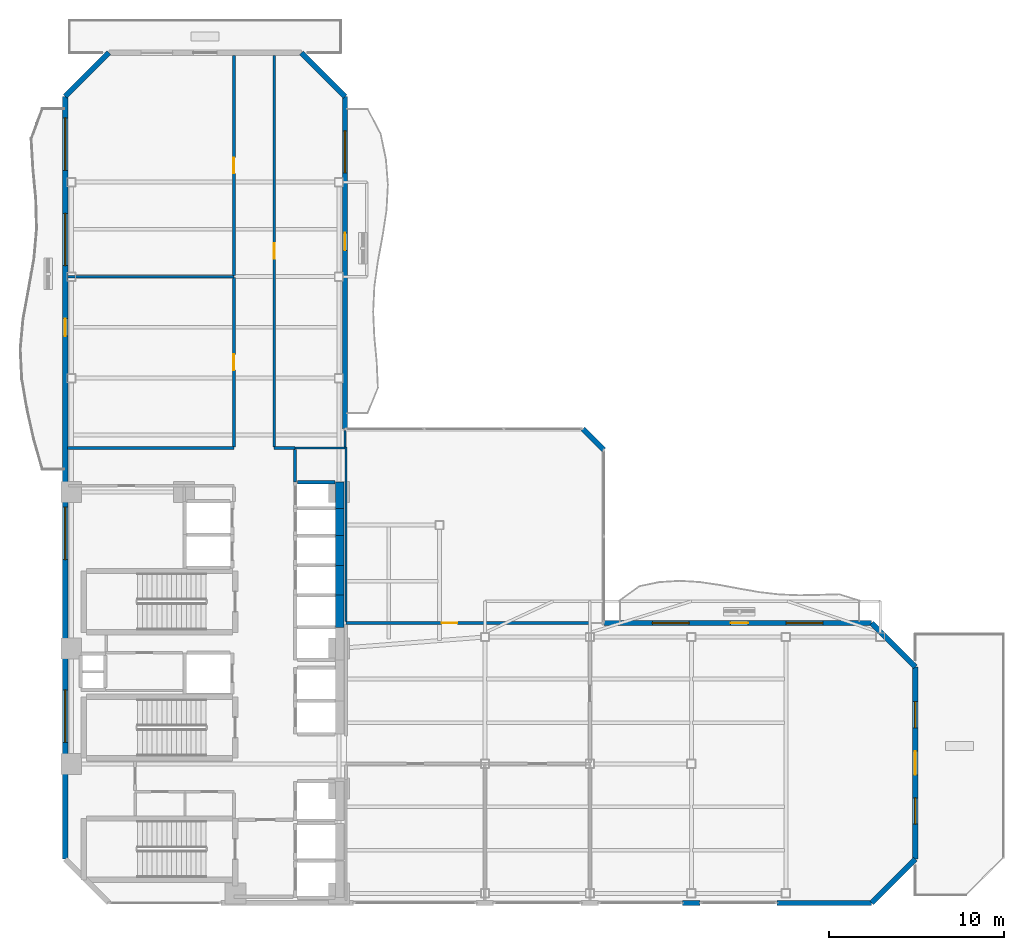
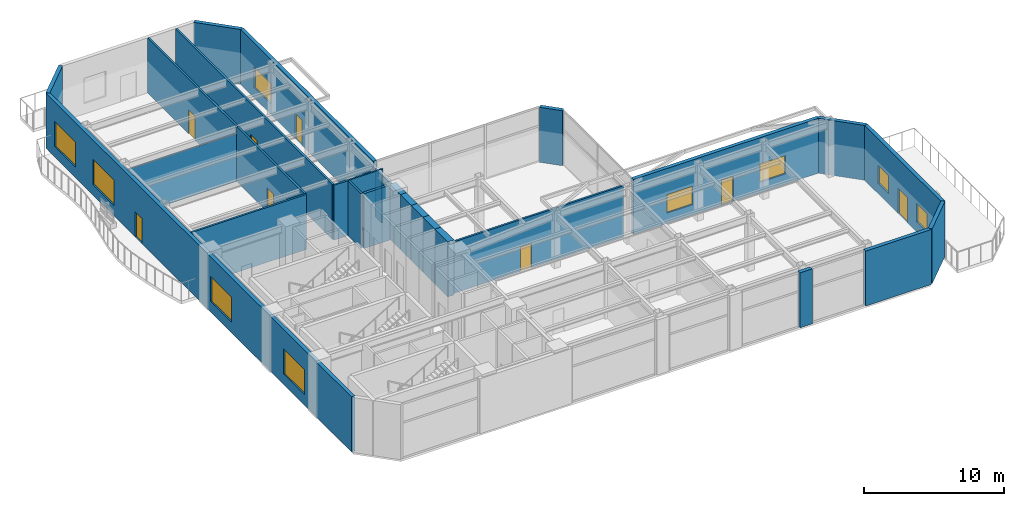
# One storey, part 18 of 23: 28 walls, 9 windows, 8 doors, 17 openings.
"""IFC4 building model written with IfcOpenShell, lengths in metres."""

from ifc_helpers import new_model, si_unit, direction, frame, frame_2d, origin, place, context, subcontext, project, spatial, rectangle, extrude, material, layer, layer_set, type_object, element, fill, save


model = new_model("IFC4")

# Units and contexts
model_context = context("Model", 3, precision=1e-05, world=origin(), true_north=direction((0.0, 1.0)))
body_context = subcontext(model_context, "Body", "Model", "MODEL_VIEW")
ifc_project = project(units=[si_unit("LENGTHUNIT", "METRE"), si_unit("AREAUNIT", "SQUARE_METRE"), si_unit("VOLUMEUNIT", "CUBIC_METRE"), si_unit("PLANEANGLEUNIT", "RADIAN"), si_unit("MASSUNIT", "GRAM", prefix="KILO")], contexts=[model_context])

# Site, building, storey
site_placement = place(None, origin())
site = spatial("IfcSite", under=ifc_project, at=site_placement, CompositionType="ELEMENT")
building_placement = place(site_placement, origin())
building = spatial("IfcBuilding", under=site, at=building_placement, Name="Mawjaban Terraces University", CompositionType="ELEMENT")
storey_placement = place(building_placement, frame((0.0, 0.0, 98.39990234375)))
storey = spatial("IfcBuildingStorey", under=building, at=storey_placement, Name="L23", CompositionType="ELEMENT", Elevation=98.39990234375)

# Walls
ifc_material_1 = material(Name="Concrete C60/75", Category="concrete")
ifc_layer_1 = layer(ifc_material_1, 0.5)
ifc_layer_set_1 = layer_set([ifc_layer_1], Name="Concrete C60/75")
wall_type_1 = type_object("IfcWallType", Name="CoreShearWall_500", PredefinedType="SHEAR", material=ifc_layer_set_1)
wall_1_placement = place(storey_placement, frame((37.699951171875, 15.75, 0.0), z_axis=(0.0, 0.0, 1.0), x_axis=(0.0, 1.0, 0.0)))
element("IfcWall", 1, at=wall_1_placement, inside=storey, type_object=wall_type_1, Name="L23 Lift OL-2 Hoistway Wall East", PredefinedType="SHEAR", context=body_context, shape_type="SweptSolid", body=[
    extrude(rectangle(XDim=1.85009765625, YDim=0.5, at=frame_2d((0.925048828125, 0.0))), origin(), (0.0, 0.0, 1.0), 4.7900390625),
])
for number, where, z_axis, x_axis, name in (
    (2, (37.699951171875, 17.60009765625, 0.0), (0.0, 0.0, 1.0), (0.0, 1.0, 0.0), "L23 Lift PL-M1 Hoistway Wall East"),
    (3, (37.699951171875, 19.300048828125, 0.0), (0.0, 0.0, 1.0), (0.0, 1.0, 0.0), "L23 Lift PL-M2 Hoistway Wall East"),
):
    element("IfcWall", number, at=place(storey_placement, frame(where, z_axis=z_axis, x_axis=x_axis)), inside=storey, type_object=wall_type_1, Name=name, PredefinedType="SHEAR", context=body_context, shape_type="SweptSolid", body=[
        extrude(rectangle(XDim=1.699951171875, YDim=0.5, at=frame_2d((0.85009765625, 0.0))), origin(), (0.0, 0.0, 1.0), 4.7900390625),
    ])
wall_2_placement = place(storey_placement, frame((37.699951171875, 21.0, 0.0), z_axis=(0.0, 0.0, 1.0), x_axis=(0.0, 1.0, 0.0)))
element("IfcWall", 4, at=wall_2_placement, inside=storey, type_object=wall_type_1, Name="L23 Lift PL-L1 Hoistway Wall East", PredefinedType="SHEAR", context=body_context, shape_type="SweptSolid", body=[
    extrude(rectangle(XDim=1.550048828125, YDim=0.5, at=frame_2d((0.77490234375, 0.0))), origin(), (0.0, 0.0, 1.0), 4.7900390625),
])
wall_3_placement = place(storey_placement, frame((37.699951171875, 22.550048828125, 0.0), z_axis=(0.0, 0.0, 1.0), x_axis=(0.0, 1.0, 0.0)))
element("IfcWall", 5, at=wall_3_placement, inside=storey, type_object=wall_type_1, Name="L23 Lift PL-L2 Hoistway Wall East", PredefinedType="SHEAR", context=body_context, shape_type="SweptSolid", body=[
    extrude(rectangle(XDim=1.5, YDim=0.5, at=frame_2d((0.75, 0.0))), origin(), (0.0, 0.0, 1.0), 4.7900390625),
])
ifc_material_2 = material(Name="Fire-rated gypsum board on steel stud", Category="steel")
ifc_layer_2 = layer(ifc_material_2, 0.159912109375)
ifc_layer_set_2 = layer_set([ifc_layer_2], Name="Fire-rated gypsum board on steel stud")
wall_type_2 = type_object("IfcWallType", Name="CorridorPartition_160", PredefinedType="PARTITIONING", material=ifc_layer_set_2)
wall_4_placement = place(storey_placement, frame((31.64990234375, 26.0, 0.0), z_axis=(0.0, 0.0, 1.0), x_axis=(-1.0, 0.0, 0.0)))
element("IfcWall", 6, at=wall_4_placement, inside=storey, type_object=wall_type_2, Name="L23 North Core Cross-Corridor Partition 8", PredefinedType="PARTITIONING", context=body_context, shape_type="SweptSolid", body=[
    extrude(rectangle(XDim=9.5048828125, YDim=0.159912109375, at=frame_2d((4.75244140625, 0.0))), origin(), (0.0, 0.0, 1.0), 4.7900390625),
])
wall_5_placement = place(storey_placement, frame((35.14990234375, 26.0, 0.0), z_axis=(0.0, 0.0, 1.0), x_axis=(-1.0, 0.0, 0.0)))
element("IfcWall", 7, at=wall_5_placement, inside=storey, type_object=wall_type_2, Name="L23 North Core Cross-Corridor Partition 11", PredefinedType="PARTITIONING", context=body_context, shape_type="SweptSolid", body=[
    extrude(rectangle(XDim=1.199951171875, YDim=0.159912109375, at=frame_2d((0.60009765625, 0.0))), origin(), (0.0, 0.0, 1.0), 4.7900390625),
])

# Wall, opening, door
wall_6_placement = place(storey_placement, frame((52.0, 16.0, 0.0), z_axis=(0.0, 0.0, 1.0), x_axis=(-1.0, 0.0, 0.0)))
wall_6 = element("IfcWall", 8, at=wall_6_placement, inside=storey, type_object=wall_type_2, Name="L23 Transfer Sky Lobby Concourse Partition 15", PredefinedType="PARTITIONING", context=body_context, shape_type="SweptSolid", body=[
    extrude(rectangle(XDim=13.949951171875, YDim=0.159912109375, at=frame_2d((6.97509765625, 0.0))), origin(), (0.0, 0.0, 1.0), 4.489990234375),
])
opening_1_placement = place(wall_6_placement, frame((7.574951171875, 0.0, 0.0)))
opening_1 = element("IfcOpeningElement", 9, at=opening_1_placement, cuts=wall_6, Name="Opening ID-090", PredefinedType="OPENING", context=body_context, shape_type="SweptSolid", body=[
    extrude(rectangle(XDim=0.89990234375, YDim=2.10009765625, at=frame_2d((0.449951171875, 1.050048828125))), frame((0.0, 0.08984375, 0.0), z_axis=(0.0, -1.0, 0.0), x_axis=(1.0, 0.0, 0.0)), (0.0, 0.0, 1.0), 0.179931640625),
])
ifc_material_3 = material(Name="Powder-coated steel frame and solid acoustic timber leaf", Category="steel")
door_type_1 = type_object("IfcDoorType", Name="OfficeDoor_900x2100", OperationType="NOTDEFINED", PredefinedType="DOOR", material=ifc_material_3)
door_1_placement = place(opening_1_placement, origin())
door_1 = element("IfcDoor", 10, at=door_1_placement, inside=storey, type_object=door_type_1, Name="L23 Terrace Group Study Hall Door", OperationType="SINGLE_SWING_LEFT", OverallHeight=2.10009765625, OverallWidth=0.89990234375, PredefinedType="DOOR", context=body_context, shape_type="SweptSolid", body=[
    extrude(rectangle(XDim=0.89990234375, YDim=2.10009765625, at=frame_2d((0.449951171875, 1.050048828125))), frame((0.0, 0.02490234375, 0.0), z_axis=(0.0, -1.0, 0.0), x_axis=(1.0, 0.0, 0.0)), (0.0, 0.0, 1.0), 0.050048828125),
])
fill(opening_1, door_1)

wall_7_placement = place(storey_placement, frame((31.64990234375, 35.741943359375, 0.0), z_axis=(0.0, 0.0, 1.0), x_axis=(0.0, -1.0, 0.0)))
wall_7 = element("IfcWall", 11, at=wall_7_placement, inside=storey, type_object=wall_type_2, Name="L23 Sky Lobby North Promenade Partition 23", PredefinedType="PARTITIONING", context=body_context, shape_type="SweptSolid", body=[
    extrude(rectangle(XDim=9.6669921875, YDim=0.159912109375, at=frame_2d((4.83349609375, 0.0))), origin(), (0.0, 0.0, 1.0), 4.7900390625),
])
opening_2_placement = place(wall_7_placement, frame((4.383056640625, 0.0, 0.0)))
opening_2 = element("IfcOpeningElement", 12, at=opening_2_placement, cuts=wall_7, Name="Opening ID-090", PredefinedType="OPENING", context=body_context, shape_type="SweptSolid", body=[
    extrude(rectangle(XDim=0.89990234375, YDim=2.10009765625, at=frame_2d((0.449951171875, 1.050048828125))), frame((0.0, 0.08984375, 0.0), z_axis=(0.0, -1.0, 0.0), x_axis=(1.0, 0.0, 0.0)), (0.0, 0.0, 1.0), 0.179931640625),
])
door_2_placement = place(opening_2_placement, origin())
door_2 = element("IfcDoor", 13, at=door_2_placement, inside=storey, type_object=door_type_1, Name="L23 Student Advisory Office 1 Door", OperationType="SINGLE_SWING_LEFT", OverallHeight=2.10009765625, OverallWidth=0.89990234375, PredefinedType="DOOR", context=body_context, shape_type="SweptSolid", body=[
    extrude(rectangle(XDim=0.89990234375, YDim=2.10009765625, at=frame_2d((0.449951171875, 1.050048828125))), frame((0.0, 0.02490234375, 0.0), z_axis=(0.0, -1.0, 0.0), x_axis=(1.0, 0.0, 0.0)), (0.0, 0.0, 1.0), 0.050048828125),
])
fill(opening_2, door_2)

wall_8_placement = place(storey_placement, frame((31.64990234375, 48.455078125, 0.0), z_axis=(0.0, 0.0, 1.0), x_axis=(0.0, -1.0, 0.0)))
wall_8 = element("IfcWall", 14, at=wall_8_placement, inside=storey, type_object=wall_type_2, Name="L23 Sky Lobby North Promenade Partition 24", PredefinedType="PARTITIONING", context=body_context, shape_type="SweptSolid", body=[
    extrude(rectangle(XDim=12.59814453125, YDim=0.159912109375, at=frame_2d((6.299072265625, 0.0))), origin(), (0.0, 0.0, 1.0), 4.7900390625),
])
opening_3_placement = place(wall_8_placement, frame((5.84912109375, 0.0, 0.0)))
opening_3 = element("IfcOpeningElement", 15, at=opening_3_placement, cuts=wall_8, Name="Opening ID-090", PredefinedType="OPENING", context=body_context, shape_type="SweptSolid", body=[
    extrude(rectangle(XDim=0.89990234375, YDim=2.10009765625, at=frame_2d((0.449951171875, 1.050048828125))), frame((0.0, 0.08984375, 0.0), z_axis=(0.0, -1.0, 0.0), x_axis=(1.0, 0.0, 0.0)), (0.0, 0.0, 1.0), 0.179931640625),
])
door_3_placement = place(opening_3_placement, origin())
door_3 = element("IfcDoor", 16, at=door_3_placement, inside=storey, type_object=door_type_1, Name="L23 Student Advisory Office 2 Door", OperationType="SINGLE_SWING_RIGHT", OverallHeight=2.10009765625, OverallWidth=0.89990234375, PredefinedType="DOOR", context=body_context, shape_type="SweptSolid", body=[
    extrude(rectangle(XDim=0.89990234375, YDim=2.10009765625, at=frame_2d((0.449951171875, 1.050048828125))), frame((0.0, 0.02490234375, 0.0), z_axis=(0.0, -1.0, 0.0), x_axis=(1.0, 0.0, 0.0)), (0.0, 0.0, 1.0), 0.050048828125),
])
fill(opening_3, door_3)

wall_9_placement = place(storey_placement, frame((33.949951171875, 26.074951171875, 0.0), z_axis=(0.0, 0.0, 1.0), x_axis=(0.0, 1.0, 0.0)))
wall_9 = element("IfcWall", 17, at=wall_9_placement, inside=storey, type_object=wall_type_2, Name="L23 Sky Lobby North Promenade Partition 25", PredefinedType="PARTITIONING", context=body_context, shape_type="SweptSolid", body=[
    extrude(rectangle(XDim=22.380126953125, YDim=0.159912109375, at=frame_2d((11.18994140625, 0.0))), origin(), (0.0, 0.0, 1.0), 4.7900390625),
])
opening_4_placement = place(wall_9_placement, frame((10.739990234375, 0.0, 0.0)))
opening_4 = element("IfcOpeningElement", 18, at=opening_4_placement, cuts=wall_9, Name="Opening ID-090", PredefinedType="OPENING", context=body_context, shape_type="SweptSolid", body=[
    extrude(rectangle(XDim=0.89990234375, YDim=2.10009765625, at=frame_2d((0.449951171875, 1.050048828125))), frame((0.0, 0.08984375, 0.0), z_axis=(0.0, -1.0, 0.0), x_axis=(1.0, 0.0, 0.0)), (0.0, 0.0, 1.0), 0.179931640625),
])
door_4_placement = place(opening_4_placement, origin())
door_4 = element("IfcDoor", 19, at=door_4_placement, inside=storey, type_object=door_type_1, Name="L23 Interfaculty Reading Commons Door", OperationType="SINGLE_SWING_RIGHT", OverallHeight=2.10009765625, OverallWidth=0.89990234375, PredefinedType="DOOR", context=body_context, shape_type="SweptSolid", body=[
    extrude(rectangle(XDim=0.89990234375, YDim=2.10009765625, at=frame_2d((0.449951171875, 1.050048828125))), frame((0.0, 0.02490234375, 0.0), z_axis=(0.0, -1.0, 0.0), x_axis=(1.0, 0.0, 0.0)), (0.0, 0.0, 1.0), 0.050048828125),
])
fill(opening_4, door_4)

# Walls
wall_10_placement = place(storey_placement, frame((35.14990234375, 24.070068359375, 0.0), z_axis=(0.0, 0.0, 1.0), x_axis=(0.0, 1.0, 0.0)))
element("IfcWall", 20, at=wall_10_placement, inside=storey, type_object=wall_type_2, Name="L23 North Core Cross-Corridor Partition 26", PredefinedType="PARTITIONING", context=body_context, shape_type="SweptSolid", body=[
    extrude(rectangle(XDim=1.85498046875, YDim=0.159912109375, at=frame_2d((0.927490234375, 0.0))), origin(), (0.0, 0.0, 1.0), 4.7900390625),
])
ifc_material_4 = material(Name="Insulated terracotta rainscreen on concrete backup C40/50", Category="masonry")
ifc_layer_3 = layer(ifc_material_4, 0.300048828125)
ifc_layer_set_3 = layer_set([ifc_layer_3], Name="Insulated terracotta rainscreen on concrete backup C40/50")
wall_type_3 = type_object("IfcWallType", Name="ExtTerracottaWall_300", PredefinedType="SOLIDWALL", material=ifc_layer_set_3)
wall_11_placement = place(storey_placement, frame((57.300048828125, 0.0, 0.0), z_axis=(0.0, 0.0, 1.0), x_axis=(1.0, 0.0, 0.0)))
element("IfcWall", 21, at=wall_11_placement, inside=storey, type_object=wall_type_3, Name="L23 Exterior Terracotta Pier Wall 1.4", PredefinedType="SOLIDWALL", context=body_context, shape_type="SweptSolid", body=[
    extrude(rectangle(XDim=1.0, YDim=0.300048828125, at=frame_2d((0.5, 0.0))), origin(), (0.0, 0.0, 1.0), 4.7900390625),
])
wall_12_placement = place(storey_placement, frame((62.699951171875, 0.0, 0.0), z_axis=(0.0, 0.0, 1.0), x_axis=(1.0, 0.0, 0.0)))
element("IfcWall", 22, at=wall_12_placement, inside=storey, type_object=wall_type_3, Name="L23 Exterior Terracotta Pier Wall 1.5", PredefinedType="SOLIDWALL", context=body_context, shape_type="SweptSolid", body=[
    extrude(rectangle(XDim=5.400146484375, YDim=0.300048828125, at=frame_2d((2.7001953125, 0.0))), origin(), (0.0, 0.0, 1.0), 4.7900390625),
])
wall_13_placement = place(storey_placement, frame((68.10009765625, 0.0, 0.0), z_axis=(0.0, 0.0, 1.0), x_axis=(0.707106781187, 0.707106781187, 0.0)))
element("IfcWall", 23, at=wall_13_placement, inside=storey, type_object=wall_type_3, Name="L23 Exterior Terracotta Wall 2", PredefinedType="SOLIDWALL", context=body_context, shape_type="SweptSolid", body=[
    extrude(rectangle(XDim=3.53564453125, YDim=0.300048828125, at=frame_2d((1.767822265625, 0.0))), origin(), (0.0, 0.0, 1.0), 4.7900390625),
])

# Wall, openings, door, windows
wall_14_placement = place(storey_placement, frame((70.60009765625, 2.5, 0.0), z_axis=(0.0, 0.0, 1.0), x_axis=(0.0, 1.0, 0.0)))
wall_14 = element("IfcWall", 24, at=wall_14_placement, inside=storey, type_object=wall_type_3, Name="L23 Exterior Terracotta Wall 3", PredefinedType="SOLIDWALL", context=body_context, shape_type="SweptSolid", body=[
    extrude(rectangle(XDim=11.0, YDim=0.300048828125, at=frame_2d((5.5, 0.0))), origin(), (0.0, 0.0, 1.0), 4.7900390625),
])
opening_5_placement = place(wall_14_placement, frame((4.824951171875, 0.0, 0.0)))
opening_5 = element("IfcOpeningElement", 25, at=opening_5_placement, cuts=wall_14, Name="Opening TD-135", PredefinedType="OPENING", context=body_context, shape_type="SweptSolid", body=[
    extrude(rectangle(XDim=1.35009765625, YDim=2.199951171875, at=frame_2d((0.675048828125, 1.10009765625))), frame((0.0, 0.159912109375, 0.0), z_axis=(0.0, -1.0, 0.0), x_axis=(1.0, 0.0, 0.0)), (0.0, 0.0, 1.0), 0.320068359375),
])
opening_6_placement = place(wall_14_placement, frame((2.0, 0.0, 0.89990234375)))
opening_6 = element("IfcOpeningElement", 26, at=opening_6_placement, cuts=wall_14, Name="Opening W-02", PredefinedType="OPENING", context=body_context, shape_type="SweptSolid", body=[
    extrude(rectangle(XDim=1.5, YDim=1.60009765625, at=frame_2d((0.75, 0.800048828125))), frame((0.0, 0.159912109375, 0.0), z_axis=(0.0, -1.0, 0.0), x_axis=(1.0, 0.0, 0.0)), (0.0, 0.0, 1.0), 0.320068359375),
])
opening_7_placement = place(wall_14_placement, frame((7.5, 0.0, 0.89990234375)))
opening_7 = element("IfcOpeningElement", 27, at=opening_7_placement, cuts=wall_14, Name="Opening W-02", PredefinedType="OPENING", context=body_context, shape_type="SweptSolid", body=[
    extrude(rectangle(XDim=1.5, YDim=1.60009765625, at=frame_2d((0.75, 0.800048828125))), frame((0.0, 0.159912109375, 0.0), z_axis=(0.0, -1.0, 0.0), x_axis=(1.0, 0.0, 0.0)), (0.0, 0.0, 1.0), 0.320068359375),
])
ifc_material_5 = material(Name="Thermally broken anodised aluminium and laminated safety glass", Category="aluminium")
door_type_2 = type_object("IfcDoorType", Name="TerraceGlazedDoor_1350x2200", OperationType="NOTDEFINED", PredefinedType="DOOR", material=ifc_material_5)
door_5_placement = place(opening_5_placement, origin())
door_5 = element("IfcDoor", 28, at=door_5_placement, inside=storey, type_object=door_type_2, Name="L23 Terrace Access Door TER-L23-EAST", OperationType="SINGLE_SWING_LEFT", OverallHeight=2.199951171875, OverallWidth=1.35009765625, PredefinedType="DOOR", context=body_context, shape_type="SweptSolid", body=[
    extrude(rectangle(XDim=1.35009765625, YDim=2.199951171875, at=frame_2d((0.675048828125, 1.10009765625))), frame((0.0, 0.02490234375, 0.0), z_axis=(0.0, -1.0, 0.0), x_axis=(1.0, 0.0, 0.0)), (0.0, 0.0, 1.0), 0.050048828125),
])
fill(opening_5, door_5)
ifc_material_6 = material(Name="Low-E solar-control double glazing in thermally broken aluminium frame", Category="aluminium")
window_type_1 = type_object("IfcWindowType", Name="Win_1500x1600", PartitioningType="SINGLE_PANEL", PredefinedType="WINDOW", material=ifc_material_6)
window_1_placement = place(opening_6_placement, origin())
window_1 = element("IfcWindow", 29, at=window_1_placement, inside=storey, type_object=window_type_1, Name="L23 Facade Window 3.1", OverallHeight=1.60009765625, OverallWidth=1.5, PartitioningType="SINGLE_PANEL", PredefinedType="WINDOW", context=body_context, shape_type="SweptSolid", body=[
    extrude(rectangle(XDim=1.5, YDim=1.60009765625, at=frame_2d((0.75, 0.800048828125))), frame((0.0, 0.030029296875, 0.0), z_axis=(0.0, -1.0, 0.0), x_axis=(1.0, 0.0, 0.0)), (0.0, 0.0, 1.0), 0.06005859375),
])
fill(opening_6, window_1)
window_2_placement = place(opening_7_placement, origin())
window_2 = element("IfcWindow", 30, at=window_2_placement, inside=storey, type_object=window_type_1, Name="L23 Facade Window 3.2", OverallHeight=1.60009765625, OverallWidth=1.5, PartitioningType="SINGLE_PANEL", PredefinedType="WINDOW", context=body_context, shape_type="SweptSolid", body=[
    extrude(rectangle(XDim=1.5, YDim=1.60009765625, at=frame_2d((0.75, 0.800048828125))), frame((0.0, 0.030029296875, 0.0), z_axis=(0.0, -1.0, 0.0), x_axis=(1.0, 0.0, 0.0)), (0.0, 0.0, 1.0), 0.06005859375),
])
fill(opening_7, window_2)

# Wall
wall_15_placement = place(storey_placement, frame((70.60009765625, 13.5, 0.0), z_axis=(0.0, 0.0, 1.0), x_axis=(-0.707106781187, 0.707106781187, 0.0)))
element("IfcWall", 31, at=wall_15_placement, inside=storey, type_object=wall_type_3, Name="L23 Exterior Terracotta Wall 4", PredefinedType="SOLIDWALL", context=body_context, shape_type="SweptSolid", body=[
    extrude(rectangle(XDim=3.53564453125, YDim=0.300048828125, at=frame_2d((1.767822265625, 0.0))), origin(), (0.0, 0.0, 1.0), 4.7900390625),
])

# Wall, openings, door, windows
wall_16_placement = place(storey_placement, frame((68.10009765625, 16.0, 0.0), z_axis=(0.0, 0.0, 1.0), x_axis=(-1.0, 0.0, 0.0)))
wall_16 = element("IfcWall", 32, at=wall_16_placement, inside=storey, type_object=wall_type_3, Name="L23 Exterior Terracotta Wall 5", PredefinedType="SOLIDWALL", context=body_context, shape_type="SweptSolid", body=[
    extrude(rectangle(XDim=15.300048828125, YDim=0.300048828125, at=frame_2d((7.64990234375, 0.0))), origin(), (0.0, 0.0, 1.0), 4.7900390625),
])
opening_8_placement = place(wall_16_placement, frame((7.050048828125, 0.0, 0.0)))
opening_8 = element("IfcOpeningElement", 33, at=opening_8_placement, cuts=wall_16, Name="Opening BD-100", PredefinedType="OPENING", context=body_context, shape_type="SweptSolid", body=[
    extrude(rectangle(XDim=1.0, YDim=2.199951171875, at=frame_2d((0.5, 1.10009765625))), frame((0.0, 0.159912109375, 0.0), z_axis=(0.0, -1.0, 0.0), x_axis=(1.0, 0.0, 0.0)), (0.0, 0.0, 1.0), 0.320068359375),
])
opening_9_placement = place(wall_16_placement, frame((2.77490234375, 0.0, 0.89990234375)))
opening_9 = element("IfcOpeningElement", 34, at=opening_9_placement, cuts=wall_16, Name="Opening W-04", PredefinedType="OPENING", context=body_context, shape_type="SweptSolid", body=[
    extrude(rectangle(XDim=2.10009765625, YDim=1.60009765625, at=frame_2d((1.050048828125, 0.800048828125))), frame((0.0, 0.159912109375, 0.0), z_axis=(0.0, -1.0, 0.0), x_axis=(1.0, 0.0, 0.0)), (0.0, 0.0, 1.0), 0.320068359375),
])
opening_10_placement = place(wall_16_placement, frame((10.425048828125, 0.0, 0.89990234375)))
opening_10 = element("IfcOpeningElement", 35, at=opening_10_placement, cuts=wall_16, Name="Opening W-04", PredefinedType="OPENING", context=body_context, shape_type="SweptSolid", body=[
    extrude(rectangle(XDim=2.10009765625, YDim=1.60009765625, at=frame_2d((1.050048828125, 0.800048828125))), frame((0.0, 0.159912109375, 0.0), z_axis=(0.0, -1.0, 0.0), x_axis=(1.0, 0.0, 0.0)), (0.0, 0.0, 1.0), 0.320068359375),
])
door_type_3 = type_object("IfcDoorType", Name="BalconyGlazedDoor_1000x2200", OperationType="NOTDEFINED", PredefinedType="DOOR", material=ifc_material_5)
door_6_placement = place(opening_8_placement, origin())
door_6 = element("IfcDoor", 36, at=door_6_placement, inside=storey, type_object=door_type_3, Name="L23 Balcony Access Door inner_north", OperationType="SINGLE_SWING_RIGHT", OverallHeight=2.199951171875, OverallWidth=1.0, PredefinedType="DOOR", context=body_context, shape_type="SweptSolid", body=[
    extrude(rectangle(XDim=1.0, YDim=2.199951171875, at=frame_2d((0.5, 1.10009765625))), frame((0.0, 0.02490234375, 0.0), z_axis=(0.0, -1.0, 0.0), x_axis=(1.0, 0.0, 0.0)), (0.0, 0.0, 1.0), 0.050048828125),
])
fill(opening_8, door_6)
window_type_2 = type_object("IfcWindowType", Name="Win_2100x1600", PartitioningType="SINGLE_PANEL", PredefinedType="WINDOW", material=ifc_material_6)
window_3_placement = place(opening_9_placement, origin())
window_3 = element("IfcWindow", 37, at=window_3_placement, inside=storey, type_object=window_type_2, Name="L23 Facade Window 5.1", OverallHeight=1.60009765625, OverallWidth=2.10009765625, PartitioningType="SINGLE_PANEL", PredefinedType="WINDOW", context=body_context, shape_type="SweptSolid", body=[
    extrude(rectangle(XDim=2.10009765625, YDim=1.60009765625, at=frame_2d((1.050048828125, 0.800048828125))), frame((0.0, 0.030029296875, 0.0), z_axis=(0.0, -1.0, 0.0), x_axis=(1.0, 0.0, 0.0)), (0.0, 0.0, 1.0), 0.06005859375),
])
fill(opening_9, window_3)
window_4_placement = place(opening_10_placement, origin())
window_4 = element("IfcWindow", 38, at=window_4_placement, inside=storey, type_object=window_type_2, Name="L23 Facade Window 5.2", OverallHeight=1.60009765625, OverallWidth=2.10009765625, PartitioningType="SINGLE_PANEL", PredefinedType="WINDOW", context=body_context, shape_type="SweptSolid", body=[
    extrude(rectangle(XDim=2.10009765625, YDim=1.60009765625, at=frame_2d((1.050048828125, 0.800048828125))), frame((0.0, 0.030029296875, 0.0), z_axis=(0.0, -1.0, 0.0), x_axis=(1.0, 0.0, 0.0)), (0.0, 0.0, 1.0), 0.06005859375),
])
fill(opening_10, window_4)

# Wall
wall_17_placement = place(storey_placement, frame((52.800048828125, 25.89990234375, 0.0), z_axis=(0.0, 0.0, 1.0), x_axis=(-0.707034851297, 0.707178703759, 0.0)))
element("IfcWall", 39, at=wall_17_placement, inside=storey, type_object=wall_type_3, Name="L23 Exterior Terracotta Wall 7", PredefinedType="SOLIDWALL", context=body_context, shape_type="SweptSolid", body=[
    extrude(rectangle(XDim=1.697265625, YDim=0.300048828125, at=frame_2d((0.8486328125, 0.0))), origin(), (0.0, 0.0, 1.0), 4.7900390625),
])

# Wall, openings, door, window
wall_18_placement = place(storey_placement, frame((38.0, 27.10009765625, 0.0), z_axis=(0.0, 0.0, 1.0), x_axis=(0.0, 1.0, 0.0)))
wall_18 = element("IfcWall", 40, at=wall_18_placement, inside=storey, type_object=wall_type_3, Name="L23 Exterior Terracotta Wall 9", PredefinedType="SOLIDWALL", context=body_context, shape_type="SweptSolid", body=[
    extrude(rectangle(XDim=19.0, YDim=0.300048828125, at=frame_2d((9.5, 0.0))), origin(), (0.0, 0.0, 1.0), 4.7900390625),
])
opening_11_placement = place(wall_18_placement, frame((10.199951171875, 0.0, 0.0)))
opening_11 = element("IfcOpeningElement", 41, at=opening_11_placement, cuts=wall_18, Name="Opening BD-100", PredefinedType="OPENING", context=body_context, shape_type="SweptSolid", body=[
    extrude(rectangle(XDim=1.0, YDim=2.199951171875, at=frame_2d((0.5, 1.10009765625))), frame((0.0, 0.159912109375, 0.0), z_axis=(0.0, -1.0, 0.0), x_axis=(1.0, 0.0, 0.0)), (0.0, 0.0, 1.0), 0.320068359375),
])
opening_12_placement = place(wall_18_placement, frame((14.633056640625, 0.0, 0.89990234375)))
opening_12 = element("IfcOpeningElement", 42, at=opening_12_placement, cuts=wall_18, Name="Opening W-08", PredefinedType="OPENING", context=body_context, shape_type="SweptSolid", body=[
    extrude(rectangle(XDim=2.39990234375, YDim=1.800048828125, at=frame_2d((1.199951171875, 0.89990234375))), frame((0.0, 0.159912109375, 0.0), z_axis=(0.0, -1.0, 0.0), x_axis=(1.0, 0.0, 0.0)), (0.0, 0.0, 1.0), 0.320068359375),
])
door_7_placement = place(opening_11_placement, origin())
door_7 = element("IfcDoor", 43, at=door_7_placement, inside=storey, type_object=door_type_3, Name="L23 Balcony Access Door inner_east", OperationType="SINGLE_SWING_RIGHT", OverallHeight=2.199951171875, OverallWidth=1.0, PredefinedType="DOOR", context=body_context, shape_type="SweptSolid", body=[
    extrude(rectangle(XDim=1.0, YDim=2.199951171875, at=frame_2d((0.5, 1.10009765625))), frame((0.0, 0.02490234375, 0.0), z_axis=(0.0, -1.0, 0.0), x_axis=(1.0, 0.0, 0.0)), (0.0, 0.0, 1.0), 0.050048828125),
])
fill(opening_11, door_7)
window_type_3 = type_object("IfcWindowType", Name="Win_2400x1800", PartitioningType="SINGLE_PANEL", PredefinedType="WINDOW", material=ifc_material_6)
window_5_placement = place(opening_12_placement, origin())
window_5 = element("IfcWindow", 44, at=window_5_placement, inside=storey, type_object=window_type_3, Name="L23 Facade Window 9.3", OverallHeight=1.800048828125, OverallWidth=2.39990234375, PartitioningType="SINGLE_PANEL", PredefinedType="WINDOW", context=body_context, shape_type="SweptSolid", body=[
    extrude(rectangle(XDim=2.39990234375, YDim=1.800048828125, at=frame_2d((1.199951171875, 0.89990234375))), frame((0.0, 0.030029296875, 0.0), z_axis=(0.0, -1.0, 0.0), x_axis=(1.0, 0.0, 0.0)), (0.0, 0.0, 1.0), 0.06005859375),
])
fill(opening_12, window_5)

# Walls
for number, where, z_axis, x_axis, name in (
    (45, (38.0, 46.10009765625, 0.0), (0.0, 0.0, 1.0), (-0.707106781187, 0.707106781187, 0.0), "L23 Exterior Terracotta Wall 10"),
    (46, (24.5, 48.60009765625, 0.0), (0.0, 0.0, 1.0), (-0.707106781187, -0.707106781187, 0.0), "L23 Exterior Terracotta Wall 12"),
):
    element("IfcWall", number, at=place(storey_placement, frame(where, z_axis=z_axis, x_axis=x_axis)), inside=storey, type_object=wall_type_3, Name=name, PredefinedType="SOLIDWALL", context=body_context, shape_type="SweptSolid", body=[
        extrude(rectangle(XDim=3.53564453125, YDim=0.300048828125, at=frame_2d((1.767822265625, 0.0))), origin(), (0.0, 0.0, 1.0), 4.7900390625),
    ])

# Wall, openings, door, windows
wall_19_placement = place(storey_placement, frame((22.0, 46.10009765625, 0.0), z_axis=(0.0, 0.0, 1.0), x_axis=(0.0, -1.0, 0.0)))
wall_19 = element("IfcWall", 47, at=wall_19_placement, inside=storey, type_object=wall_type_3, Name="L23 Exterior Terracotta Wall 13", PredefinedType="SOLIDWALL", context=body_context, shape_type="SweptSolid", body=[
    extrude(rectangle(XDim=43.60009765625, YDim=0.300048828125, at=frame_2d((21.800048828125, 0.0))), origin(), (0.0, 0.0, 1.0), 4.7900390625),
])
opening_13_placement = place(wall_19_placement, frame((12.699951171875, 0.0, 0.0)))
opening_13 = element("IfcOpeningElement", 48, at=opening_13_placement, cuts=wall_19, Name="Opening BD-100", PredefinedType="OPENING", context=body_context, shape_type="SweptSolid", body=[
    extrude(rectangle(XDim=1.0, YDim=2.199951171875, at=frame_2d((0.5, 1.10009765625))), frame((0.0, 0.159912109375, 0.0), z_axis=(0.0, -1.0, 0.0), x_axis=(1.0, 0.0, 0.0)), (0.0, 0.0, 1.0), 0.320068359375),
])
opening_14_placement = place(wall_19_placement, frame((1.22509765625, 0.0, 0.89990234375)))
opening_14 = element("IfcOpeningElement", 49, at=opening_14_placement, cuts=wall_19, Name="Opening W-12", PredefinedType="OPENING", context=body_context, shape_type="SweptSolid", body=[
    extrude(rectangle(XDim=3.0, YDim=2.199951171875, at=frame_2d((1.5, 1.10009765625))), frame((0.0, 0.159912109375, 0.0), z_axis=(0.0, -1.0, 0.0), x_axis=(1.0, 0.0, 0.0)), (0.0, 0.0, 1.0), 0.320068359375),
])
opening_15_placement = place(wall_19_placement, frame((6.675048828125, 0.0, 0.89990234375)))
opening_15 = element("IfcOpeningElement", 50, at=opening_15_placement, cuts=wall_19, Name="Opening W-12", PredefinedType="OPENING", context=body_context, shape_type="SweptSolid", body=[
    extrude(rectangle(XDim=3.0, YDim=2.199951171875, at=frame_2d((1.5, 1.10009765625))), frame((0.0, 0.159912109375, 0.0), z_axis=(0.0, -1.0, 0.0), x_axis=(1.0, 0.0, 0.0)), (0.0, 0.0, 1.0), 0.320068359375),
])
opening_16_placement = place(wall_19_placement, frame((23.47509765625, 0.0, 0.89990234375)))
opening_16 = element("IfcOpeningElement", 51, at=opening_16_placement, cuts=wall_19, Name="Opening W-12", PredefinedType="OPENING", context=body_context, shape_type="SweptSolid", body=[
    extrude(rectangle(XDim=3.0, YDim=2.199951171875, at=frame_2d((1.5, 1.10009765625))), frame((0.0, 0.159912109375, 0.0), z_axis=(0.0, -1.0, 0.0), x_axis=(1.0, 0.0, 0.0)), (0.0, 0.0, 1.0), 0.320068359375),
])
opening_17_placement = place(wall_19_placement, frame((33.925048828125, 0.0, 0.89990234375)))
opening_17 = element("IfcOpeningElement", 52, at=opening_17_placement, cuts=wall_19, Name="Opening W-12", PredefinedType="OPENING", context=body_context, shape_type="SweptSolid", body=[
    extrude(rectangle(XDim=3.0, YDim=2.199951171875, at=frame_2d((1.5, 1.10009765625))), frame((0.0, 0.159912109375, 0.0), z_axis=(0.0, -1.0, 0.0), x_axis=(1.0, 0.0, 0.0)), (0.0, 0.0, 1.0), 0.320068359375),
])
door_8_placement = place(opening_13_placement, origin())
door_8 = element("IfcDoor", 53, at=door_8_placement, inside=storey, type_object=door_type_3, Name="L23 Balcony Access Door west", OperationType="SINGLE_SWING_RIGHT", OverallHeight=2.199951171875, OverallWidth=1.0, PredefinedType="DOOR", context=body_context, shape_type="SweptSolid", body=[
    extrude(rectangle(XDim=1.0, YDim=2.199951171875, at=frame_2d((0.5, 1.10009765625))), frame((0.0, 0.02490234375, 0.0), z_axis=(0.0, -1.0, 0.0), x_axis=(1.0, 0.0, 0.0)), (0.0, 0.0, 1.0), 0.050048828125),
])
fill(opening_13, door_8)
window_type_4 = type_object("IfcWindowType", Name="Win_3000x2200", PartitioningType="SINGLE_PANEL", PredefinedType="WINDOW", material=ifc_material_6)
window_6_placement = place(opening_14_placement, origin())
window_6 = element("IfcWindow", 54, at=window_6_placement, inside=storey, type_object=window_type_4, Name="L23 Facade Window 13.1", OverallHeight=2.199951171875, OverallWidth=3.0, PartitioningType="SINGLE_PANEL", PredefinedType="WINDOW", context=body_context, shape_type="SweptSolid", body=[
    extrude(rectangle(XDim=3.0, YDim=2.199951171875, at=frame_2d((1.5, 1.10009765625))), frame((0.0, 0.030029296875, 0.0), z_axis=(0.0, -1.0, 0.0), x_axis=(1.0, 0.0, 0.0)), (0.0, 0.0, 1.0), 0.06005859375),
])
fill(opening_14, window_6)
window_7_placement = place(opening_15_placement, origin())
window_7 = element("IfcWindow", 55, at=window_7_placement, inside=storey, type_object=window_type_4, Name="L23 Facade Window 13.2", OverallHeight=2.199951171875, OverallWidth=3.0, PartitioningType="SINGLE_PANEL", PredefinedType="WINDOW", context=body_context, shape_type="SweptSolid", body=[
    extrude(rectangle(XDim=3.0, YDim=2.199951171875, at=frame_2d((1.5, 1.10009765625))), frame((0.0, 0.030029296875, 0.0), z_axis=(0.0, -1.0, 0.0), x_axis=(1.0, 0.0, 0.0)), (0.0, 0.0, 1.0), 0.06005859375),
])
fill(opening_15, window_7)
window_8_placement = place(opening_16_placement, origin())
window_8 = element("IfcWindow", 56, at=window_8_placement, inside=storey, type_object=window_type_4, Name="L23 Facade Window 13.5", OverallHeight=2.199951171875, OverallWidth=3.0, PartitioningType="SINGLE_PANEL", PredefinedType="WINDOW", context=body_context, shape_type="SweptSolid", body=[
    extrude(rectangle(XDim=3.0, YDim=2.199951171875, at=frame_2d((1.5, 1.10009765625))), frame((0.0, 0.030029296875, 0.0), z_axis=(0.0, -1.0, 0.0), x_axis=(1.0, 0.0, 0.0)), (0.0, 0.0, 1.0), 0.06005859375),
])
fill(opening_16, window_8)
window_9_placement = place(opening_17_placement, origin())
window_9 = element("IfcWindow", 57, at=window_9_placement, inside=storey, type_object=window_type_4, Name="L23 Facade Window 13.7", OverallHeight=2.199951171875, OverallWidth=3.0, PartitioningType="SINGLE_PANEL", PredefinedType="WINDOW", context=body_context, shape_type="SweptSolid", body=[
    extrude(rectangle(XDim=3.0, YDim=2.199951171875, at=frame_2d((1.5, 1.10009765625))), frame((0.0, 0.030029296875, 0.0), z_axis=(0.0, -1.0, 0.0), x_axis=(1.0, 0.0, 0.0)), (0.0, 0.0, 1.0), 0.06005859375),
])
fill(opening_17, window_9)

# Walls
ifc_material_7 = material(Name="Concrete C40/50", Category="concrete")
ifc_layer_4 = layer(ifc_material_7, 0.199951171875)
ifc_layer_set_4 = layer_set([ifc_layer_4], Name="Concrete C40/50")
wall_type_4 = type_object("IfcWallType", Name="FireLobbyWall_200", PredefinedType="SOLIDWALL", material=ifc_layer_set_4)
wall_20_placement = place(storey_placement, frame((37.419921875, 24.050048828125, 0.0), z_axis=(0.0, 0.0, 1.0), x_axis=(-1.0, 0.0, 0.0)))
element("IfcWall", 58, at=wall_20_placement, inside=storey, type_object=wall_type_4, Name="L23 Lift PL-L2 Hoistway Wall North", PredefinedType="SOLIDWALL", context=body_context, shape_type="SweptSolid", body=[
    extrude(rectangle(XDim=2.139892578125, YDim=0.199951171875, at=frame_2d((1.06982421875, 0.0))), origin(), (0.0, 0.0, 1.0), 4.7900390625),
])
ifc_material_8 = material(Name="Gypsum plasterboard on steel stud", Category="steel")
ifc_layer_5 = layer(ifc_material_8, 0.125)
ifc_layer_set_5 = layer_set([ifc_layer_5], Name="Gypsum plasterboard on steel stud")
wall_type_5 = type_object("IfcWallType", Name="OfficePartition_125", PredefinedType="PARTITIONING", material=ifc_layer_set_5)
wall_21_placement = place(storey_placement, frame((31.64990234375, 35.800048828125, 0.0), z_axis=(0.0, 0.0, 1.0), x_axis=(-1.0, 0.0, 0.0)))
element("IfcWall", 59, at=wall_21_placement, inside=storey, type_object=wall_type_5, Name="L23 Student Advisory Office 1 Partition 9", PredefinedType="PARTITIONING", context=body_context, shape_type="SweptSolid", body=[
    extrude(rectangle(XDim=9.5048828125, YDim=0.125, at=frame_2d((4.75244140625, 0.0))), origin(), (0.0, 0.0, 1.0), 4.173095703125),
])
wall_22_placement = place(storey_placement, frame((35.14990234375, 26.0, 0.0), z_axis=(0.0, 0.0, 1.0), x_axis=(1.0, 0.0, 0.0)))
element("IfcWall", 60, at=wall_22_placement, inside=storey, type_object=wall_type_5, Name="L23 Interfaculty Reading Commons Partition 12", PredefinedType="PARTITIONING", context=body_context, shape_type="SweptSolid", body=[
    extrude(rectangle(XDim=2.85009765625, YDim=0.125, at=frame_2d((1.425048828125, 0.0))), origin(), (0.0, 0.0, 1.0), 4.7900390625),
])
wall_23_placement = place(storey_placement, frame((38.0, 26.05810546875, 0.0), z_axis=(0.0, 0.0, 1.0), x_axis=(0.0, 1.0, 0.0)))
element("IfcWall", 61, at=wall_23_placement, inside=storey, type_object=wall_type_5, Name="L23 Interfaculty Reading Commons Partition 27", PredefinedType="PARTITIONING", context=body_context, shape_type="SweptSolid", body=[
    extrude(rectangle(XDim=0.9619140625, YDim=0.125, at=frame_2d((0.48095703125, 0.0))), origin(), (0.0, 0.0, 1.0), 4.173095703125),
])
wall_24_placement = place(storey_placement, frame((38.050048828125, 26.05810546875, 0.0), z_axis=(0.0, 0.0, 1.0), x_axis=(0.0, -1.0, 0.0)))
element("IfcWall", 62, at=wall_24_placement, inside=storey, type_object=wall_type_5, Name="L23 Terrace Group Study Hall Partition 31", PredefinedType="PARTITIONING", context=body_context, shape_type="SweptSolid", body=[
    extrude(rectangle(XDim=9.983154296875, YDim=0.125, at=frame_2d((4.99169921875, 0.0))), origin(), (0.0, 0.0, 1.0), 4.173095703125),
])

save(model, "model.ifc")
